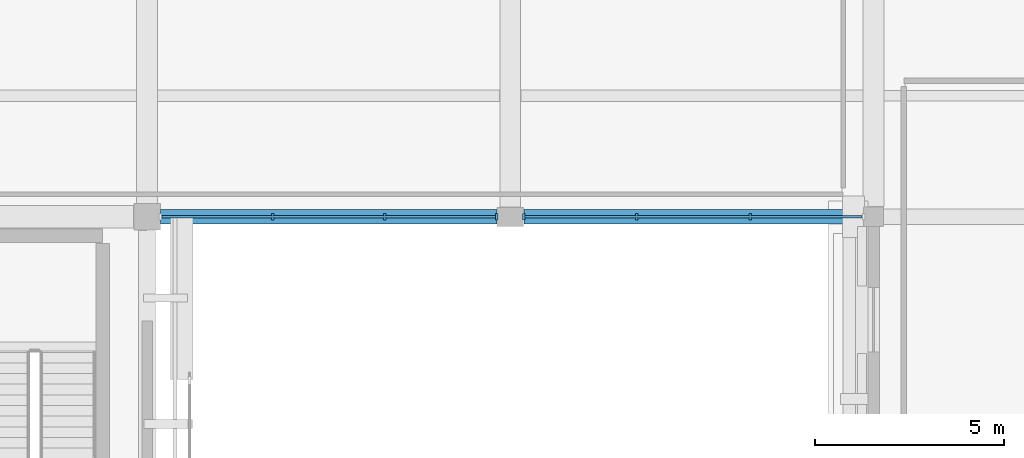
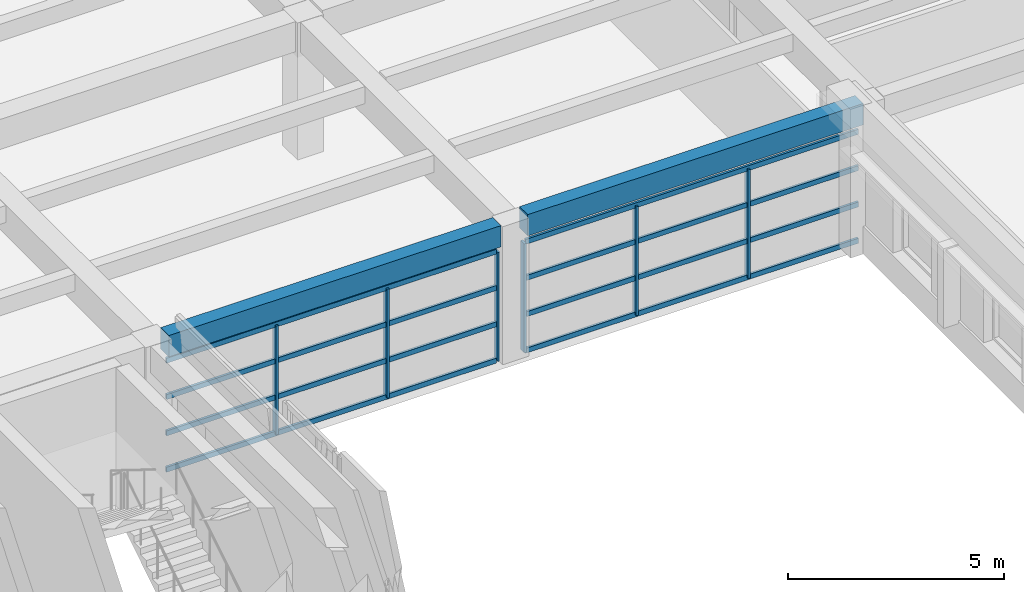
# One storey, part 19 of 62: 14 members, 2 beams, 2 elements without a shape of their own.
"""IFC4 building model written with IfcOpenShell, lengths in metres."""

import ifcopenshell
import ifcopenshell.guid

model = None  # the IFC model being written
_history = None  # IfcOwnerHistory: only IFC2X3 demands one
_inside = {}  # id of a spatial element -> (the spatial element, [elements in it])
_under = {}  # id of a project, library or spatial element -> (it, [spatial elements below it])
_declared = {}  # id of a project -> (the project, [libraries it declares])
_typed = {}  # id of a type object -> (the type object, [elements of that type])
_made_of = {}  # id of a material, layer set ... -> (it, [elements and type objects made of it])


def new_model(schema):
    """Start an empty IFC model of exactly this schema.

    Asked for "IFC4X3", IfcOpenShell would pick the latest addendum, in which some entities
    have other attributes; the version numbers below select the first issue.
    IFC2X3 requires an IfcOwnerHistory on every rooted entity: one is made here for all.
    """
    global model, _history
    if schema == "IFC4X3":
        model = ifcopenshell.file(schema_version=(4, 3, 0, 0))
    else:
        model = ifcopenshell.file(schema=schema)
    _inside.clear()
    _under.clear()
    _declared.clear()
    _typed.clear()
    _made_of.clear()
    _history = None
    if model.schema == "IFC2X3":
        org = make("IfcOrganization", Name="unknown")
        user = make(
            "IfcPersonAndOrganization",
            ThePerson=make("IfcPerson", FamilyName="unknown"),
            TheOrganization=org,
        )
        app = make(
            "IfcApplication",
            ApplicationDeveloper=org,
            Version="unknown",
            ApplicationFullName="unknown",
            ApplicationIdentifier="unknown",
        )
        _history = make(
            "IfcOwnerHistory",
            OwningUser=user,
            OwningApplication=app,
            ChangeAction="ADDED",
            CreationDate=0,
        )
    return model


def make(cls, **values):
    """One entity of the class cls with the attributes given. An attribute that is None is left unset."""
    return model.create_entity(
        cls, **{name: value for name, value in values.items() if value is not None}
    )


def rooted(cls, **values):
    """An entity with a GlobalId (a new one), such as an element, a storey or a relation."""
    return make(cls, GlobalId=ifcopenshell.guid.new(), OwnerHistory=_history, **values)


def si_unit(unit_type, name, prefix=None):
    """IfcSIUnit, for example si_unit("LENGTHUNIT", "METRE", prefix="MILLI")."""
    return make("IfcSIUnit", UnitType=unit_type, Prefix=prefix, Name=name)


def assignment(units):
    """IfcUnitAssignment: the units of a project."""
    return None if units is None else make("IfcUnitAssignment", Units=units)


def point(xyz):
    """IfcCartesianPoint."""
    return None if xyz is None else make("IfcCartesianPoint", Coordinates=xyz)


def direction(xyz):
    """IfcDirection."""
    return None if xyz is None else make("IfcDirection", DirectionRatios=xyz)


def frame(location, z_axis=None, x_axis=None):
    """IfcAxis2Placement3D, a coordinate frame: its origin and axes. An axis left out is left unset."""
    return make(
        "IfcAxis2Placement3D",
        Location=point(location),
        Axis=direction(z_axis),
        RefDirection=direction(x_axis),
    )


def frame_2d(location, x_axis=None):
    """IfcAxis2Placement2D, a coordinate frame in the plane: its origin and x axis."""
    return make(
        "IfcAxis2Placement2D", Location=point(location), RefDirection=direction(x_axis)
    )


def origin():
    """The frame at (0, 0, 0) with its axes left unset."""
    return frame((0.0, 0.0, 0.0))


def origin_2d():
    """The frame at (0, 0) in the plane with its x axis left unset."""
    return frame_2d((0.0, 0.0))


def place(relative_to, where):
    """IfcLocalPlacement: puts the frame where relative to a parent placement (None: the world)."""
    return make(
        "IfcLocalPlacement", PlacementRelTo=relative_to, RelativePlacement=where
    )


def context(
    kind, dimensions, precision=None, world=None, true_north=None, identifier=None
):
    """IfcGeometricRepresentationContext, for example the 3D "Model" context."""
    return make(
        "IfcGeometricRepresentationContext",
        ContextIdentifier=identifier,
        ContextType=kind,
        CoordinateSpaceDimension=dimensions,
        Precision=precision,
        WorldCoordinateSystem=world,
        TrueNorth=true_north,
    )


def subcontext(parent, identifier, kind, view, scale=None):
    """IfcGeometricRepresentationSubContext, for example "Body" below "Model"."""
    return make(
        "IfcGeometricRepresentationSubContext",
        ContextIdentifier=identifier,
        ContextType=kind,
        ParentContext=parent,
        TargetScale=scale,
        TargetView=view,
    )


def project(units=None, contexts=None):
    """IfcProject with its units and contexts."""
    return rooted(
        "IfcProject",
        Name="project",
        RepresentationContexts=contexts,
        UnitsInContext=assignment(units),
    )


def spatial(cls, under=None, at=None, **own):
    """A site, building, storey or space (cls), placed at a placement, below another one or the project."""
    s = rooted(cls, ObjectPlacement=at, **own)
    if under is not None:
        _under.setdefault(under.id(), (under, []))[1].append(s)
    return s


def profile(cls, at=None, kind="AREA", **sizes):
    """A parametric profile (cls). Its sizes go by their IFC names, for example OverallWidth=200.0."""
    return make(cls, ProfileType=kind, Position=at, **sizes)


def rectangle(**sizes):
    """IfcRectangleProfileDef."""
    return profile("IfcRectangleProfileDef", **sizes)


def extrude(swept, where, along, depth):
    """IfcExtrudedAreaSolid: the profile swept, set in the frame where, extruded along a direction by depth."""
    return make(
        "IfcExtrudedAreaSolid",
        SweptArea=swept,
        Position=where,
        ExtrudedDirection=direction(along),
        Depth=depth,
    )


def shape(context_of_items, identifier, shape_type, items):
    """IfcShapeRepresentation: the items that make up one representation, for example the "Body"."""
    return make(
        "IfcShapeRepresentation",
        ContextOfItems=context_of_items,
        RepresentationIdentifier=identifier,
        RepresentationType=shape_type,
        Items=items,
    )


def material(Name=None, Category=None):
    """IfcMaterial."""
    return make("IfcMaterial", Name=Name, Category=Category)


def layer(
    of_material, thickness, ventilated=None, Name=None, Category=None, Priority=None
):
    """IfcMaterialLayer: one layer of a wall or slab, of a material (None: an air gap)."""
    return make(
        "IfcMaterialLayer",
        Material=of_material,
        LayerThickness=thickness,
        IsVentilated=ventilated,
        Name=Name,
        Category=Category,
        Priority=Priority,
    )


def layer_set(layers, Name=None):
    """IfcMaterialLayerSet."""
    return make("IfcMaterialLayerSet", MaterialLayers=layers, LayerSetName=Name)


def material_profile(
    of_material, cross_section, Name=None, Category=None, Priority=None
):
    """IfcMaterialProfile: a cross section and its material."""
    return make(
        "IfcMaterialProfile",
        Name=Name,
        Material=of_material,
        Profile=cross_section,
        Priority=Priority,
        Category=Category,
    )


def profile_set(profiles, Name=None, composite=None):
    """IfcMaterialProfileSet."""
    return make(
        "IfcMaterialProfileSet",
        Name=Name,
        MaterialProfiles=profiles,
        CompositeProfile=composite,
    )


def made_of(thing, what):
    """Note that an element or type object is made of a material, layer set ...; save() writes the relation."""
    if what is not None:
        _made_of.setdefault(what.id(), (what, []))[1].append(thing)
    return thing


def type_object(cls, material=None, **own):
    """A type object (cls), such as IfcWallType, which elements share."""
    return made_of(rooted(cls, **own), material)


def element(
    cls,
    number,
    at=None,
    inside=None,
    cuts=None,
    type_object=None,
    material=None,
    context=None,
    identifier="Body",
    shape_type=None,
    held_by="IfcProductDefinitionShape",
    body=None,
    shapes=None,
    **own,
):
    """One element of the class cls, such as IfcWall. Its Tag is "e" and its number.

    at: its placement. inside: the storey or other place that contains it. cuts: it is an
    opening in that element (IfcRelVoidsElement). A single representation is given by context,
    identifier, shape_type and body (its items); several are given by shapes. held_by: the class
    of the entity that holds the representations. save() writes the other relations.
    """
    e = rooted(cls, Tag="e%d" % number, ObjectPlacement=at, **own)
    if body is not None:
        shapes = [shape(context, identifier, shape_type, body)]
    if shapes is not None:
        e.Representation = make(held_by, Representations=shapes)
    if inside is not None:
        _inside.setdefault(inside.id(), (inside, []))[1].append(e)
    if cuts is not None:
        rooted(
            "IfcRelVoidsElement", RelatingBuildingElement=cuts, RelatedOpeningElement=e
        )
    if type_object is not None:
        _typed.setdefault(type_object.id(), (type_object, []))[1].append(e)
    return made_of(e, material)


def aggregate(whole, parts):
    """IfcRelAggregates: a whole, such as a stair, and the parts it consists of."""
    return rooted("IfcRelAggregates", RelatingObject=whole, RelatedObjects=parts)


def save(model, path):
    """Write the relations noted so far, then the file.

    IfcRelAggregates (storeys below a building ...), IfcRelContainedInSpatialStructure (elements
    in a storey), IfcRelDefinesByType, IfcRelAssociatesMaterial and IfcRelDeclares: one each for
    every whole, place, type object, material and project.
    """
    for whole, parts in _under.values():
        aggregate(whole, parts)
    for where, things in _inside.values():
        rooted(
            "IfcRelContainedInSpatialStructure",
            RelatedElements=things,
            RelatingStructure=where,
        )
    for kind, things in _typed.values():
        rooted("IfcRelDefinesByType", RelatedObjects=things, RelatingType=kind)
    for what, things in _made_of.values():
        rooted("IfcRelAssociatesMaterial", RelatedObjects=things, RelatingMaterial=what)
    for by, libraries in _declared.values():
        rooted("IfcRelDeclares", RelatingContext=by, RelatedDefinitions=libraries)
    model.write(path)


model = new_model("IFC4")

# Units and contexts
model_context = context("Model", 3, precision=1e-05, world=origin(), true_north=direction((0.0, 1.0)))
body_context = subcontext(model_context, "Body", "Model", "MODEL_VIEW")
ifc_project = project(units=[si_unit("LENGTHUNIT", "METRE"), si_unit("AREAUNIT", "SQUARE_METRE"), si_unit("VOLUMEUNIT", "CUBIC_METRE"), si_unit("PLANEANGLEUNIT", "RADIAN"), si_unit("MASSUNIT", "GRAM", prefix="KILO")], contexts=[model_context])

# Site, building, storey
site_placement = place(None, origin())
site = spatial("IfcSite", under=ifc_project, at=site_placement, CompositionType="ELEMENT")
building_placement = place(site_placement, origin())
building = spatial("IfcBuilding", under=site, at=building_placement, Name="Bempovik Park Faculty of Sciences", CompositionType="ELEMENT")
storey_placement = place(building_placement, frame((0.0, 0.0, 9.89990234375)))
storey = spatial("IfcBuildingStorey", under=building, at=storey_placement, Name="L02", CompositionType="ELEMENT", Elevation=9.89990234375)

# Beams
ifc_material_1 = material(Name="Concrete C35/45", Category="concrete")
ifc_material_profile_1 = material_profile(ifc_material_1, rectangle(XDim=0.3798828125, YDim=0.60009765625, at=origin_2d()), Name="RC 380x600")
ifc_profile_set_1 = profile_set([ifc_material_profile_1], Name="Concrete C35/45")
beam_type = type_object("IfcBeamType", Name="B-032 RC 380x600", PredefinedType="SPANDREL", material=ifc_profile_set_1)
beam_1_placement = place(storey_placement, frame((117.9560546875, 67.800048828125, 3.60009765625), z_axis=(1.0, 0.0, 0.0), x_axis=(0.0, 1.0, 0.0)))
element("IfcBeam", 1, at=beam_1_placement, inside=storey, type_object=beam_type, Name="L02 Beam X (117.6-127.2, y=67.8)", PredefinedType="SPANDREL", context=body_context, shape_type="SweptSolid", body=[
    extrude(rectangle(XDim=0.3798828125, YDim=0.60009765625, at=origin_2d()), origin(), (0.0, 0.0, 1.0), 8.887939453125),
])
beam_2_placement = place(storey_placement, frame((127.555908203125, 67.800048828125, 3.66015625), z_axis=(1.0, 0.0, 0.0), x_axis=(0.0, 1.0, 0.0)))
element("IfcBeam", 2, at=beam_2_placement, inside=storey, type_object=beam_type, Name="L02 Beam X (127.2-136.8, y=67.8)", PredefinedType="SPANDREL", context=body_context, shape_type="SweptSolid", body=[
    extrude(rectangle(XDim=0.3798828125, YDim=0.60009765625, at=origin_2d()), origin(), (0.0, 0.0, 1.0), 8.97802734375),
])

# Curtain wall, members
ifc_material_2 = material(Name="Tempered laminated low-E glass", Category="glass")
ifc_layer = layer(ifc_material_2, 0.159912109375)
ifc_layer_set = layer_set([ifc_layer], Name="Tempered laminated low-E glass")
curtain_wall_type = type_object("IfcCurtainWallType", Name="CW-41 Curtain 6600x3800", PredefinedType="USERDEFINED", material=ifc_layer_set)
curtain_wall_1_placement = place(storey_placement, origin())
curtain_wall_1 = element("IfcCurtainWall", 3, at=curtain_wall_1_placement, inside=storey, type_object=curtain_wall_type, Name="L02 Unitised Curtain Wall (67.8,117.6)", ObjectType="UNITISED CURTAIN WALL", PredefinedType="USERDEFINED")
ifc_material_3 = material(Name="Anodised architectural bronze", Category="aluminium")
ifc_material_profile_2 = material_profile(ifc_material_3, rectangle(XDim=0.06494140625, YDim=0.169921875, at=origin_2d()), Name="ALU-M 65x170")
ifc_profile_set_2 = profile_set([ifc_material_profile_2], Name="Anodised architectural bronze")
member_type_1 = type_object("IfcMemberType", Name="ML-15 ALU-M 65x170", PredefinedType="MULLION", material=ifc_profile_set_2)
member_1_placement = place(storey_placement, frame((120.917236328125, 67.800048828125, 0.0), z_axis=(0.0, 0.0, 1.0), x_axis=(1.0, 0.0, 0.0)))
member_1 = element("IfcMember", 4, at=member_1_placement, type_object=member_type_1, Name="CW-BAY-L02-678-1176 Mullion 1", PredefinedType="MULLION", context=body_context, shape_type="SweptSolid", body=[
    extrude(rectangle(XDim=0.06494140625, YDim=0.169921875, at=origin_2d()), origin(), (0.0, 0.0, 1.0), 3.080078125),
])
member_2_placement = place(storey_placement, frame((123.8828125, 67.800048828125, 0.0), z_axis=(0.0, 0.0, 1.0), x_axis=(1.0, 0.0, 0.0)))
member_2 = element("IfcMember", 5, at=member_2_placement, type_object=member_type_1, Name="CW-BAY-L02-678-1176 Mullion 2", PredefinedType="MULLION", context=body_context, shape_type="SweptSolid", body=[
    extrude(rectangle(XDim=0.06494140625, YDim=0.169921875, at=origin_2d()), origin(), (0.0, 0.0, 1.0), 3.080078125),
])
member_3_placement = place(storey_placement, frame((126.847900390625, 67.800048828125, 0.0), z_axis=(0.0, 0.0, 1.0), x_axis=(1.0, 0.0, 0.0)))
member_3 = element("IfcMember", 6, at=member_3_placement, type_object=member_type_1, Name="CW-BAY-L02-678-1176 Mullion 3", PredefinedType="MULLION", context=body_context, shape_type="SweptSolid", body=[
    extrude(rectangle(XDim=0.06494140625, YDim=0.169921875, at=origin_2d()), origin(), (0.0, 0.0, 1.0), 3.080078125),
])

curtain_wall_2_placement = place(storey_placement, origin())
curtain_wall_2 = element("IfcCurtainWall", 7, at=curtain_wall_2_placement, inside=storey, type_object=curtain_wall_type, Name="L02 Unitised Curtain Wall (67.8,127.2)", ObjectType="UNITISED CURTAIN WALL", PredefinedType="USERDEFINED")
member_4_placement = place(storey_placement, frame((127.552001953125, 67.800048828125, 0.0), z_axis=(0.0, 0.0, 1.0), x_axis=(1.0, 0.0, 0.0)))
member_4 = element("IfcMember", 8, at=member_4_placement, type_object=member_type_1, Name="CW-BAY-L02-678-1272 Mullion 0", PredefinedType="MULLION", context=body_context, shape_type="SweptSolid", body=[
    extrude(rectangle(XDim=0.06494140625, YDim=0.169921875, at=origin_2d()), origin(), (0.0, 0.0, 1.0), 3.080078125),
])
member_5_placement = place(storey_placement, frame((130.54736328125, 67.800048828125, 0.0), z_axis=(0.0, 0.0, 1.0), x_axis=(1.0, 0.0, 0.0)))
member_5 = element("IfcMember", 9, at=member_5_placement, type_object=member_type_1, Name="CW-BAY-L02-678-1272 Mullion 1", PredefinedType="MULLION", context=body_context, shape_type="SweptSolid", body=[
    extrude(rectangle(XDim=0.06494140625, YDim=0.169921875, at=origin_2d()), origin(), (0.0, 0.0, 1.0), 3.080078125),
])
member_6_placement = place(storey_placement, frame((133.542724609375, 67.800048828125, 0.0), z_axis=(0.0, 0.0, 1.0), x_axis=(1.0, 0.0, 0.0)))
member_6 = element("IfcMember", 10, at=member_6_placement, type_object=member_type_1, Name="CW-BAY-L02-678-1272 Mullion 2", PredefinedType="MULLION", context=body_context, shape_type="SweptSolid", body=[
    extrude(rectangle(XDim=0.06494140625, YDim=0.169921875, at=origin_2d()), origin(), (0.0, 0.0, 1.0), 3.080078125),
])

# Member
ifc_material_profile_3 = material_profile(ifc_material_3, rectangle(XDim=0.06494140625, YDim=0.139892578125, at=origin_2d()), Name="ALU-T 65x140")
ifc_profile_set_3 = profile_set([ifc_material_profile_3], Name="Anodised architectural bronze")
member_type_2 = type_object("IfcMemberType", Name="TR-17 ALU-T 65x140", PredefinedType="USERDEFINED", material=ifc_profile_set_3)
member_7_placement = place(storey_placement, frame((117.991943359375, 67.800048828125, 0.0), z_axis=(1.0, 0.0, 0.0), x_axis=(0.0, 1.0, 0.0)))
member_7 = element("IfcMember", 11, at=member_7_placement, type_object=member_type_2, Name="CW-BAY-L02-678-1176 Transom 0", ObjectType="TRANSOM", PredefinedType="USERDEFINED", context=body_context, shape_type="SweptSolid", body=[
    extrude(rectangle(XDim=0.06494140625, YDim=0.139892578125, at=origin_2d()), origin(), (0.0, 0.0, 1.0), 8.816162109375),
])

member_8_placement = place(storey_placement, frame((117.991943359375, 67.800048828125, 1.02685546875), z_axis=(1.0, 0.0, 0.0), x_axis=(0.0, 1.0, 0.0)))
member_8 = element("IfcMember", 12, at=member_8_placement, type_object=member_type_2, Name="CW-BAY-L02-678-1176 Transom 1", ObjectType="TRANSOM", PredefinedType="USERDEFINED", context=body_context, shape_type="SweptSolid", body=[
    extrude(rectangle(XDim=0.06494140625, YDim=0.139892578125, at=origin_2d()), origin(), (0.0, 0.0, 1.0), 8.816162109375),
])

member_9_placement = place(storey_placement, frame((117.991943359375, 67.800048828125, 2.053466796875), z_axis=(1.0, 0.0, 0.0), x_axis=(0.0, 1.0, 0.0)))
member_9 = element("IfcMember", 13, at=member_9_placement, type_object=member_type_2, Name="CW-BAY-L02-678-1176 Transom 2", ObjectType="TRANSOM", PredefinedType="USERDEFINED", context=body_context, shape_type="SweptSolid", body=[
    extrude(rectangle(XDim=0.06494140625, YDim=0.139892578125, at=origin_2d()), origin(), (0.0, 0.0, 1.0), 8.816162109375),
])

member_10_placement = place(storey_placement, frame((117.991943359375, 67.800048828125, 3.080078125), z_axis=(1.0, 0.0, 0.0), x_axis=(0.0, 1.0, 0.0)))
member_10 = element("IfcMember", 14, at=member_10_placement, type_object=member_type_2, Name="CW-BAY-L02-678-1176 Transom 3", ObjectType="TRANSOM", PredefinedType="USERDEFINED", context=body_context, shape_type="SweptSolid", body=[
    extrude(rectangle(XDim=0.06494140625, YDim=0.139892578125, at=origin_2d()), origin(), (0.0, 0.0, 1.0), 8.816162109375),
])

aggregate(curtain_wall_1, [member_1, member_2, member_3, member_7, member_8, member_9, member_10])

member_11_placement = place(storey_placement, frame((127.592041015625, 67.800048828125, 0.0), z_axis=(1.0, 0.0, 0.0), x_axis=(0.0, 1.0, 0.0)))
member_11 = element("IfcMember", 15, at=member_11_placement, type_object=member_type_2, Name="CW-BAY-L02-678-1272 Transom 0", ObjectType="TRANSOM", PredefinedType="USERDEFINED", context=body_context, shape_type="SweptSolid", body=[
    extrude(rectangle(XDim=0.06494140625, YDim=0.139892578125, at=origin_2d()), origin(), (0.0, 0.0, 1.0), 8.906005859375),
])

member_12_placement = place(storey_placement, frame((127.592041015625, 67.800048828125, 1.02685546875), z_axis=(1.0, 0.0, 0.0), x_axis=(0.0, 1.0, 0.0)))
member_12 = element("IfcMember", 16, at=member_12_placement, type_object=member_type_2, Name="CW-BAY-L02-678-1272 Transom 1", ObjectType="TRANSOM", PredefinedType="USERDEFINED", context=body_context, shape_type="SweptSolid", body=[
    extrude(rectangle(XDim=0.06494140625, YDim=0.139892578125, at=origin_2d()), origin(), (0.0, 0.0, 1.0), 8.906005859375),
])

member_13_placement = place(storey_placement, frame((127.592041015625, 67.800048828125, 2.053466796875), z_axis=(1.0, 0.0, 0.0), x_axis=(0.0, 1.0, 0.0)))
member_13 = element("IfcMember", 17, at=member_13_placement, type_object=member_type_2, Name="CW-BAY-L02-678-1272 Transom 2", ObjectType="TRANSOM", PredefinedType="USERDEFINED", context=body_context, shape_type="SweptSolid", body=[
    extrude(rectangle(XDim=0.06494140625, YDim=0.139892578125, at=origin_2d()), origin(), (0.0, 0.0, 1.0), 8.906005859375),
])

member_14_placement = place(storey_placement, frame((127.592041015625, 67.800048828125, 3.080078125), z_axis=(1.0, 0.0, 0.0), x_axis=(0.0, 1.0, 0.0)))
member_14 = element("IfcMember", 18, at=member_14_placement, type_object=member_type_2, Name="CW-BAY-L02-678-1272 Transom 3", ObjectType="TRANSOM", PredefinedType="USERDEFINED", context=body_context, shape_type="SweptSolid", body=[
    extrude(rectangle(XDim=0.06494140625, YDim=0.139892578125, at=origin_2d()), origin(), (0.0, 0.0, 1.0), 8.906005859375),
])

aggregate(curtain_wall_2, [member_4, member_5, member_6, member_11, member_12, member_13, member_14])

save(model, "model.ifc")
